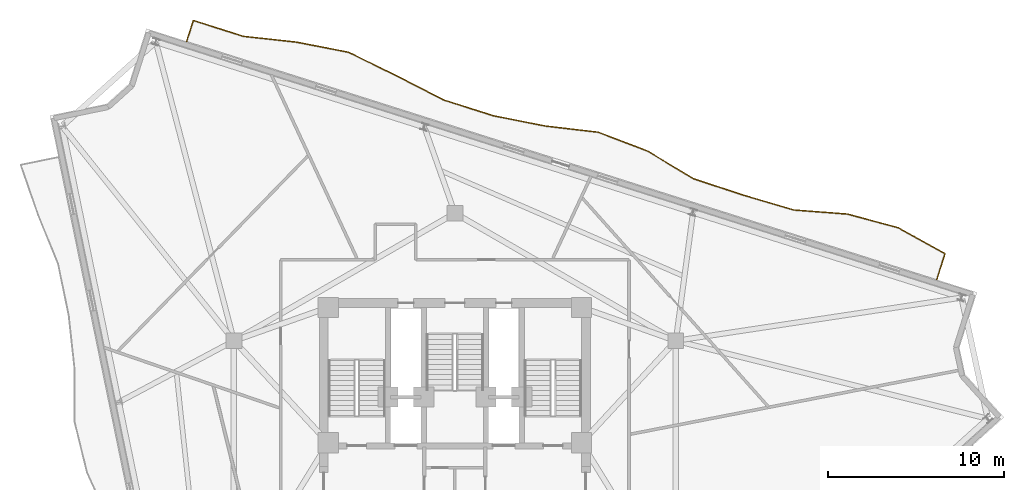
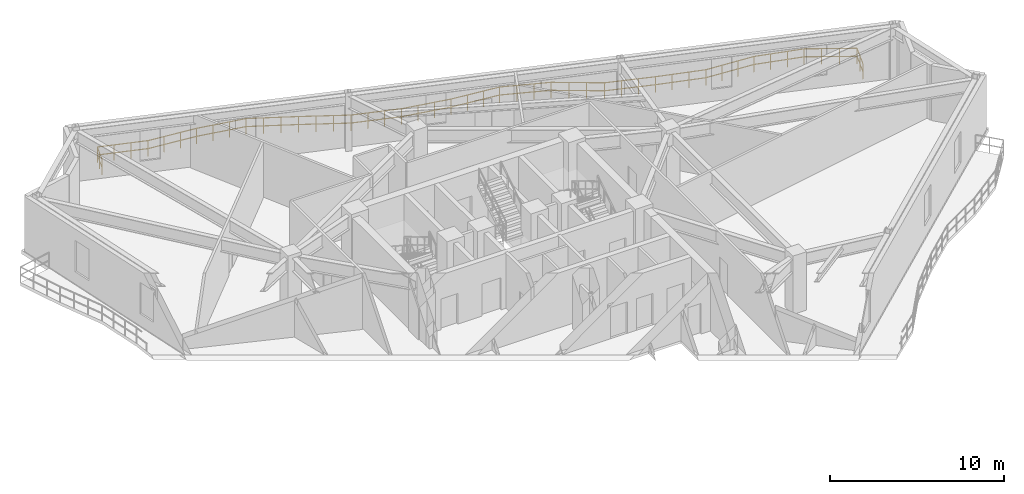
# One storey, part 12 of 12: 1 railing.
"""IFC4 building model written with IfcOpenShell, lengths in metres."""

from ifc_helpers import new_model, si_unit, direction, frame, origin, origin_2d, place, context, subcontext, project, spatial, rectangle, extrude, material, type_object, element, save


model = new_model("IFC4")

# Units and contexts
model_context = context("Model", 3, precision=1e-05, world=origin(), true_north=direction((0.0, 1.0)))
body_context = subcontext(model_context, "Body", "Model", "MODEL_VIEW")
ifc_project = project(units=[si_unit("LENGTHUNIT", "METRE"), si_unit("AREAUNIT", "SQUARE_METRE"), si_unit("VOLUMEUNIT", "CUBIC_METRE"), si_unit("PLANEANGLEUNIT", "RADIAN"), si_unit("MASSUNIT", "GRAM", prefix="KILO")], contexts=[model_context])

# Site, building, storey
site_placement = place(None, origin())
site = spatial("IfcSite", under=ifc_project, at=site_placement, CompositionType="ELEMENT")
building_placement = place(site_placement, origin())
building = spatial("IfcBuilding", under=site, at=building_placement, Name="Apsidion Concourse Tower", CompositionType="ELEMENT")
storey_placement = place(building_placement, frame((0.0, 0.0, 248.60009765625)))
storey = spatial("IfcBuildingStorey", under=building, at=storey_placement, Name="L58", CompositionType="ELEMENT", Elevation=248.60009765625)

# Railing
ifc_material = material(Name="Brushed stainless steel 316", Category="steel")
railing_type = type_object("IfcRailingType", Name="RL-BAL-1120", PredefinedType="BALUSTRADE", material=ifc_material)
railing_placement = place(storey_placement, frame((-15.25, 24.272216796875, 0.0)))
element("IfcRailing", 1, at=railing_placement, inside=storey, type_object=railing_type, Name="L58 Face 3 Rippling Balcony Balustrade", PredefinedType="BALUSTRADE", context=body_context, shape_type="SweptSolid", body=[
    extrude(rectangle(XDim=0.048095703125, YDim=0.048095703125, at=origin_2d()), frame((0.0, 0.0, 1.09619140625), z_axis=(0.302719940533, 0.953079554709, 0.0), x_axis=(-0.953079554709, 0.302719940533, 0.0)), (0.0, 0.0, 1.0), 1.25),
    extrude(rectangle(XDim=0.048095703125, YDim=0.048095703125, at=origin_2d()), frame((0.0, 0.0, 0.5361328125), z_axis=(0.302719940533, 0.953079554709, 0.0), x_axis=(-0.953079554709, 0.302719940533, 0.0)), (0.0, 0.0, 1.0), 1.25),
    extrude(rectangle(XDim=0.048095703125, YDim=0.048095703125, at=origin_2d()), frame((0.37841796875, 1.19140625, 1.09619140625), z_axis=(0.953072925335, -0.302740811577, 0.0), x_axis=(0.302740811577, 0.953072925335, 0.0)), (0.0, 0.0, 1.0), 2.98291015625),
    extrude(rectangle(XDim=0.048095703125, YDim=0.048095703125, at=origin_2d()), frame((0.37841796875, 1.19140625, 0.5361328125), z_axis=(0.953072925335, -0.302740811577, 0.0), x_axis=(0.302740811577, 0.953072925335, 0.0)), (0.0, 0.0, 1.0), 2.98291015625),
    extrude(rectangle(XDim=0.048095703125, YDim=0.048095703125, at=origin_2d()), frame((3.221435546875, 0.288330078125, 1.09619140625), z_axis=(0.99405474187, -0.108881450054, 0.0), x_axis=(0.108881450054, 0.99405474187, 0.0)), (0.0, 0.0, 1.0), 3.042724609375),
    extrude(rectangle(XDim=0.048095703125, YDim=0.048095703125, at=origin_2d()), frame((3.221435546875, 0.288330078125, 0.5361328125), z_axis=(0.99405474187, -0.108881450054, 0.0), x_axis=(0.108881450054, 0.99405474187, 0.0)), (0.0, 0.0, 1.0), 3.042724609375),
    extrude(rectangle(XDim=0.048095703125, YDim=0.048095703125, at=origin_2d()), frame((6.24609375, -0.04296875, 1.09619140625), z_axis=(0.98174167251, -0.190219053877, 0.0), x_axis=(0.190219053877, 0.98174167251, 0.0)), (0.0, 0.0, 1.0), 3.00341796875),
    extrude(rectangle(XDim=0.048095703125, YDim=0.048095703125, at=origin_2d()), frame((6.24609375, -0.04296875, 0.5361328125), z_axis=(0.98174167251, -0.190219053877, 0.0), x_axis=(0.190219053877, 0.98174167251, 0.0)), (0.0, 0.0, 1.0), 3.00341796875),
    extrude(rectangle(XDim=0.048095703125, YDim=0.048095703125, at=origin_2d()), frame((9.194580078125, -0.6142578125, 1.09619140625), z_axis=(0.898167754713, -0.439652913551, 0.0), x_axis=(0.439652913551, 0.898167754713, 0.0)), (0.0, 0.0, 1.0), 3.015869140625),
    extrude(rectangle(XDim=0.048095703125, YDim=0.048095703125, at=origin_2d()), frame((9.194580078125, -0.6142578125, 0.5361328125), z_axis=(0.898167754713, -0.439652913551, 0.0), x_axis=(0.439652913551, 0.898167754713, 0.0)), (0.0, 0.0, 1.0), 3.015869140625),
    extrude(rectangle(XDim=0.048095703125, YDim=0.048095703125, at=origin_2d()), frame((11.9033203125, -1.940185546875, 1.09619140625), z_axis=(0.8893018682, -0.45732066126, 0.0), x_axis=(0.45732066126, 0.8893018682, 0.0)), (0.0, 0.0, 1.0), 3.025390625),
    extrude(rectangle(XDim=0.048095703125, YDim=0.048095703125, at=origin_2d()), frame((11.9033203125, -1.940185546875, 0.5361328125), z_axis=(0.8893018682, -0.45732066126, 0.0), x_axis=(0.45732066126, 0.8893018682, 0.0)), (0.0, 0.0, 1.0), 3.025390625),
    extrude(rectangle(XDim=0.048095703125, YDim=0.048095703125, at=origin_2d()), frame((14.59375, -3.32373046875, 1.09619140625), z_axis=(0.953096537791, -0.302666466016, 0.0), x_axis=(0.302666466016, 0.953096537791, 0.0)), (0.0, 0.0, 1.0), 2.98291015625),
    extrude(rectangle(XDim=0.048095703125, YDim=0.048095703125, at=origin_2d()), frame((14.59375, -3.32373046875, 0.5361328125), z_axis=(0.953096537791, -0.302666466016, 0.0), x_axis=(0.302666466016, 0.953096537791, 0.0)), (0.0, 0.0, 1.0), 2.98291015625),
    extrude(rectangle(XDim=0.048095703125, YDim=0.048095703125, at=origin_2d()), frame((17.436767578125, -4.2265625, 1.09619140625), z_axis=(0.980892252647, -0.194551763543, 0.0), x_axis=(0.194551763543, 0.980892252647, 0.0)), (0.0, 0.0, 1.0), 3.001708984375),
    extrude(rectangle(XDim=0.048095703125, YDim=0.048095703125, at=origin_2d()), frame((17.436767578125, -4.2265625, 0.5361328125), z_axis=(0.980892252647, -0.194551763543, 0.0), x_axis=(0.194551763543, 0.980892252647, 0.0)), (0.0, 0.0, 1.0), 3.001708984375),
    extrude(rectangle(XDim=0.048095703125, YDim=0.048095703125, at=origin_2d()), frame((20.381103515625, -4.810546875, 1.09619140625), z_axis=(0.993217900657, -0.11626780214, 0.0), x_axis=(0.11626780214, 0.993217900657, 0.0)), (0.0, 0.0, 1.0), 3.038330078125),
    extrude(rectangle(XDim=0.048095703125, YDim=0.048095703125, at=origin_2d()), frame((20.381103515625, -4.810546875, 0.5361328125), z_axis=(0.993217900657, -0.11626780214, 0.0), x_axis=(0.11626780214, 0.993217900657, 0.0)), (0.0, 0.0, 1.0), 3.038330078125),
    extrude(rectangle(XDim=0.048095703125, YDim=0.048095703125, at=origin_2d()), frame((23.39892578125, -5.163818359375, 1.09619140625), z_axis=(0.934227297486, -0.356678225621, 0.0), x_axis=(0.356678225621, 0.934227297486, 0.0)), (0.0, 0.0, 1.0), 2.98779296875),
    extrude(rectangle(XDim=0.048095703125, YDim=0.048095703125, at=origin_2d()), frame((23.39892578125, -5.163818359375, 0.5361328125), z_axis=(0.934227297486, -0.356678225621, 0.0), x_axis=(0.356678225621, 0.934227297486, 0.0)), (0.0, 0.0, 1.0), 2.98779296875),
    extrude(rectangle(XDim=0.048095703125, YDim=0.048095703125, at=origin_2d()), frame((26.190185546875, -6.2294921875, 1.09619140625), z_axis=(0.857197719313, -0.514987446453, 0.0), x_axis=(0.514987446453, 0.857197719313, 0.0)), (0.0, 0.0, 1.0), 3.06640625),
    extrude(rectangle(XDim=0.048095703125, YDim=0.048095703125, at=origin_2d()), frame((26.190185546875, -6.2294921875, 0.5361328125), z_axis=(0.857197719313, -0.514987446453, 0.0), x_axis=(0.514987446453, 0.857197719313, 0.0)), (0.0, 0.0, 1.0), 3.06640625),
    extrude(rectangle(XDim=0.048095703125, YDim=0.048095703125, at=origin_2d()), frame((28.818603515625, -7.80859375, 1.09619140625), z_axis=(0.94984712803, -0.312714619697, 0.0), x_axis=(0.312714619697, 0.94984712803, 0.0)), (0.0, 0.0, 1.0), 2.983154296875),
    extrude(rectangle(XDim=0.048095703125, YDim=0.048095703125, at=origin_2d()), frame((28.818603515625, -7.80859375, 0.5361328125), z_axis=(0.94984712803, -0.312714619697, 0.0), x_axis=(0.312714619697, 0.94984712803, 0.0)), (0.0, 0.0, 1.0), 2.983154296875),
    extrude(rectangle(XDim=0.048095703125, YDim=0.048095703125, at=origin_2d()), frame((31.652099609375, -8.741455078125, 1.09619140625), z_axis=(0.95928207412, -0.282449822574, 0.0), x_axis=(0.282449822574, 0.95928207412, 0.0)), (0.0, 0.0, 1.0), 2.98388671875),
    extrude(rectangle(XDim=0.048095703125, YDim=0.048095703125, at=origin_2d()), frame((31.652099609375, -8.741455078125, 0.5361328125), z_axis=(0.95928207412, -0.282449822574, 0.0), x_axis=(0.282449822574, 0.95928207412, 0.0)), (0.0, 0.0, 1.0), 2.98388671875),
    extrude(rectangle(XDim=0.048095703125, YDim=0.048095703125, at=origin_2d()), frame((34.514404296875, -9.584228515625, 1.09619140625), z_axis=(0.997095580076, -0.076160384672, 0.0), x_axis=(0.076160384672, 0.997095580076, 0.0)), (0.0, 0.0, 1.0), 3.064453125),
    extrude(rectangle(XDim=0.048095703125, YDim=0.048095703125, at=origin_2d()), frame((34.514404296875, -9.584228515625, 0.5361328125), z_axis=(0.997095580076, -0.076160384672, 0.0), x_axis=(0.076160384672, 0.997095580076, 0.0)), (0.0, 0.0, 1.0), 3.064453125),
    extrude(rectangle(XDim=0.048095703125, YDim=0.048095703125, at=origin_2d()), frame((37.570068359375, -9.817626953125, 1.09619140625), z_axis=(0.965628388451, -0.259926557738, 0.0), x_axis=(0.259926557738, 0.965628388451, 0.0)), (0.0, 0.0, 1.0), 2.98583984375),
    extrude(rectangle(XDim=0.048095703125, YDim=0.048095703125, at=origin_2d()), frame((37.570068359375, -9.817626953125, 0.5361328125), z_axis=(0.965628388451, -0.259926557738, 0.0), x_axis=(0.259926557738, 0.965628388451, 0.0)), (0.0, 0.0, 1.0), 2.98583984375),
    extrude(rectangle(XDim=0.048095703125, YDim=0.048095703125, at=origin_2d()), frame((40.453369140625, -10.59375, 1.09619140625), z_axis=(0.874845240552, -0.48440252382, 0.0), x_axis=(0.48440252382, 0.874845240552, 0.0)), (0.0, 0.0, 1.0), 3.042724609375),
    extrude(rectangle(XDim=0.048095703125, YDim=0.048095703125, at=origin_2d()), frame((40.453369140625, -10.59375, 0.5361328125), z_axis=(0.874845240552, -0.48440252382, 0.0), x_axis=(0.48440252382, 0.874845240552, 0.0)), (0.0, 0.0, 1.0), 3.042724609375),
    extrude(rectangle(XDim=0.048095703125, YDim=0.048095703125, at=origin_2d()), frame((43.115234375, -12.067626953125, 1.09619140625), z_axis=(-0.3027290292, -0.953076667892, 0.0), x_axis=(0.953076667892, -0.3027290292, 0.0)), (0.0, 0.0, 1.0), 1.550048828125),
    extrude(rectangle(XDim=0.048095703125, YDim=0.048095703125, at=origin_2d()), frame((43.115234375, -12.067626953125, 0.5361328125), z_axis=(-0.3027290292, -0.953076667892, 0.0), x_axis=(0.953076667892, -0.3027290292, 0.0)), (0.0, 0.0, 1.0), 1.550048828125),
    extrude(rectangle(XDim=0.0419921875, YDim=0.0419921875, at=origin_2d()), origin(), (0.0, 0.0, 1.0), 1.072021484375),
    extrude(rectangle(XDim=0.0419921875, YDim=0.0419921875, at=origin_2d()), frame((0.189208984375, 0.595703125, 0.0)), (0.0, 0.0, 1.0), 1.072021484375),
    extrude(rectangle(XDim=0.0419921875, YDim=0.0419921875, at=origin_2d()), frame((0.37841796875, 1.19140625, 0.0)), (0.0, 0.0, 1.0), 1.072021484375),
    extrude(rectangle(XDim=0.0419921875, YDim=0.0419921875, at=origin_2d()), frame((1.326171875, 0.890380859375, 0.0)), (0.0, 0.0, 1.0), 1.072021484375),
    extrude(rectangle(XDim=0.0419921875, YDim=0.0419921875, at=origin_2d()), frame((2.273681640625, 0.58935546875, 0.0)), (0.0, 0.0, 1.0), 1.072021484375),
    extrude(rectangle(XDim=0.0419921875, YDim=0.0419921875, at=origin_2d()), frame((3.221435546875, 0.288330078125, 0.0)), (0.0, 0.0, 1.0), 1.072021484375),
    extrude(rectangle(XDim=0.0419921875, YDim=0.0419921875, at=origin_2d()), frame((4.229736328125, 0.177978515625, 0.0)), (0.0, 0.0, 1.0), 1.072021484375),
    extrude(rectangle(XDim=0.0419921875, YDim=0.0419921875, at=origin_2d()), frame((5.23779296875, 0.0673828125, 0.0)), (0.0, 0.0, 1.0), 1.072021484375),
    extrude(rectangle(XDim=0.0419921875, YDim=0.0419921875, at=origin_2d()), frame((6.24609375, -0.04296875, 0.0)), (0.0, 0.0, 1.0), 1.072021484375),
    extrude(rectangle(XDim=0.0419921875, YDim=0.0419921875, at=origin_2d()), frame((7.22900390625, -0.2333984375, 0.0)), (0.0, 0.0, 1.0), 1.072021484375),
    extrude(rectangle(XDim=0.0419921875, YDim=0.0419921875, at=origin_2d()), frame((8.211669921875, -0.423828125, 0.0)), (0.0, 0.0, 1.0), 1.072021484375),
    extrude(rectangle(XDim=0.0419921875, YDim=0.0419921875, at=origin_2d()), frame((9.194580078125, -0.6142578125, 0.0)), (0.0, 0.0, 1.0), 1.072021484375),
    extrude(rectangle(XDim=0.0419921875, YDim=0.0419921875, at=origin_2d()), frame((10.097412109375, -1.05615234375, 0.0)), (0.0, 0.0, 1.0), 1.072021484375),
    extrude(rectangle(XDim=0.0419921875, YDim=0.0419921875, at=origin_2d()), frame((11.00048828125, -1.498291015625, 0.0)), (0.0, 0.0, 1.0), 1.072021484375),
    extrude(rectangle(XDim=0.0419921875, YDim=0.0419921875, at=origin_2d()), frame((11.9033203125, -1.940185546875, 0.0)), (0.0, 0.0, 1.0), 1.072021484375),
    extrude(rectangle(XDim=0.0419921875, YDim=0.0419921875, at=origin_2d()), frame((12.800048828125, -2.4013671875, 0.0)), (0.0, 0.0, 1.0), 1.072021484375),
    extrude(rectangle(XDim=0.0419921875, YDim=0.0419921875, at=origin_2d()), frame((13.697021484375, -2.862548828125, 0.0)), (0.0, 0.0, 1.0), 1.072021484375),
    extrude(rectangle(XDim=0.0419921875, YDim=0.0419921875, at=origin_2d()), frame((14.59375, -3.32373046875, 0.0)), (0.0, 0.0, 1.0), 1.072021484375),
    extrude(rectangle(XDim=0.0419921875, YDim=0.0419921875, at=origin_2d()), frame((15.54150390625, -3.624755859375, 0.0)), (0.0, 0.0, 1.0), 1.072021484375),
    extrude(rectangle(XDim=0.0419921875, YDim=0.0419921875, at=origin_2d()), frame((16.489013671875, -3.925537109375, 0.0)), (0.0, 0.0, 1.0), 1.072021484375),
    extrude(rectangle(XDim=0.0419921875, YDim=0.0419921875, at=origin_2d()), frame((17.436767578125, -4.2265625, 0.0)), (0.0, 0.0, 1.0), 1.072021484375),
    extrude(rectangle(XDim=0.0419921875, YDim=0.0419921875, at=origin_2d()), frame((18.418212890625, -4.421142578125, 0.0)), (0.0, 0.0, 1.0), 1.072021484375),
    extrude(rectangle(XDim=0.0419921875, YDim=0.0419921875, at=origin_2d()), frame((19.399658203125, -4.615966796875, 0.0)), (0.0, 0.0, 1.0), 1.072021484375),
    extrude(rectangle(XDim=0.0419921875, YDim=0.0419921875, at=origin_2d()), frame((20.381103515625, -4.810546875, 0.0)), (0.0, 0.0, 1.0), 1.072021484375),
    extrude(rectangle(XDim=0.0419921875, YDim=0.0419921875, at=origin_2d()), frame((21.386962890625, -4.92822265625, 0.0)), (0.0, 0.0, 1.0), 1.072021484375),
    extrude(rectangle(XDim=0.0419921875, YDim=0.0419921875, at=origin_2d()), frame((22.39306640625, -5.046142578125, 0.0)), (0.0, 0.0, 1.0), 1.072021484375),
    extrude(rectangle(XDim=0.0419921875, YDim=0.0419921875, at=origin_2d()), frame((23.39892578125, -5.163818359375, 0.0)), (0.0, 0.0, 1.0), 1.072021484375),
    extrude(rectangle(XDim=0.0419921875, YDim=0.0419921875, at=origin_2d()), frame((24.329345703125, -5.51904296875, 0.0)), (0.0, 0.0, 1.0), 1.072021484375),
    extrude(rectangle(XDim=0.0419921875, YDim=0.0419921875, at=origin_2d()), frame((25.259765625, -5.874267578125, 0.0)), (0.0, 0.0, 1.0), 1.072021484375),
    extrude(rectangle(XDim=0.0419921875, YDim=0.0419921875, at=origin_2d()), frame((26.190185546875, -6.2294921875, 0.0)), (0.0, 0.0, 1.0), 1.072021484375),
    extrude(rectangle(XDim=0.0419921875, YDim=0.0419921875, at=origin_2d()), frame((27.06640625, -6.755859375, 0.0)), (0.0, 0.0, 1.0), 1.072021484375),
    extrude(rectangle(XDim=0.0419921875, YDim=0.0419921875, at=origin_2d()), frame((27.9423828125, -7.2822265625, 0.0)), (0.0, 0.0, 1.0), 1.072021484375),
    extrude(rectangle(XDim=0.0419921875, YDim=0.0419921875, at=origin_2d()), frame((28.818603515625, -7.80859375, 0.0)), (0.0, 0.0, 1.0), 1.072021484375),
    extrude(rectangle(XDim=0.0419921875, YDim=0.0419921875, at=origin_2d()), frame((29.76318359375, -8.11962890625, 0.0)), (0.0, 0.0, 1.0), 1.072021484375),
    extrude(rectangle(XDim=0.0419921875, YDim=0.0419921875, at=origin_2d()), frame((30.70751953125, -8.430419921875, 0.0)), (0.0, 0.0, 1.0), 1.072021484375),
    extrude(rectangle(XDim=0.0419921875, YDim=0.0419921875, at=origin_2d()), frame((31.652099609375, -8.741455078125, 0.0)), (0.0, 0.0, 1.0), 1.072021484375),
    extrude(rectangle(XDim=0.0419921875, YDim=0.0419921875, at=origin_2d()), frame((32.606201171875, -9.0224609375, 0.0)), (0.0, 0.0, 1.0), 1.072021484375),
    extrude(rectangle(XDim=0.0419921875, YDim=0.0419921875, at=origin_2d()), frame((33.560302734375, -9.30322265625, 0.0)), (0.0, 0.0, 1.0), 1.072021484375),
    extrude(rectangle(XDim=0.0419921875, YDim=0.0419921875, at=origin_2d()), frame((34.514404296875, -9.584228515625, 0.0)), (0.0, 0.0, 1.0), 1.072021484375),
    extrude(rectangle(XDim=0.0419921875, YDim=0.0419921875, at=origin_2d()), frame((35.532958984375, -9.662109375, 0.0)), (0.0, 0.0, 1.0), 1.072021484375),
    extrude(rectangle(XDim=0.0419921875, YDim=0.0419921875, at=origin_2d()), frame((36.551513671875, -9.73974609375, 0.0)), (0.0, 0.0, 1.0), 1.072021484375),
    extrude(rectangle(XDim=0.0419921875, YDim=0.0419921875, at=origin_2d()), frame((37.570068359375, -9.817626953125, 0.0)), (0.0, 0.0, 1.0), 1.072021484375),
    extrude(rectangle(XDim=0.0419921875, YDim=0.0419921875, at=origin_2d()), frame((38.53125, -10.076416015625, 0.0)), (0.0, 0.0, 1.0), 1.072021484375),
    extrude(rectangle(XDim=0.0419921875, YDim=0.0419921875, at=origin_2d()), frame((39.4921875, -10.3349609375, 0.0)), (0.0, 0.0, 1.0), 1.072021484375),
    extrude(rectangle(XDim=0.0419921875, YDim=0.0419921875, at=origin_2d()), frame((40.453369140625, -10.59375, 0.0)), (0.0, 0.0, 1.0), 1.072021484375),
    extrude(rectangle(XDim=0.0419921875, YDim=0.0419921875, at=origin_2d()), frame((41.340576171875, -11.0849609375, 0.0)), (0.0, 0.0, 1.0), 1.072021484375),
    extrude(rectangle(XDim=0.0419921875, YDim=0.0419921875, at=origin_2d()), frame((42.22802734375, -11.576416015625, 0.0)), (0.0, 0.0, 1.0), 1.072021484375),
    extrude(rectangle(XDim=0.0419921875, YDim=0.0419921875, at=origin_2d()), frame((43.115234375, -12.067626953125, 0.0)), (0.0, 0.0, 1.0), 1.072021484375),
    extrude(rectangle(XDim=0.0419921875, YDim=0.0419921875, at=origin_2d()), frame((42.880615234375, -12.80615234375, 0.0)), (0.0, 0.0, 1.0), 1.072021484375),
    extrude(rectangle(XDim=0.0419921875, YDim=0.0419921875, at=origin_2d()), frame((42.64599609375, -13.544921875, 0.0)), (0.0, 0.0, 1.0), 1.072021484375),
])

save(model, "model.ifc")
